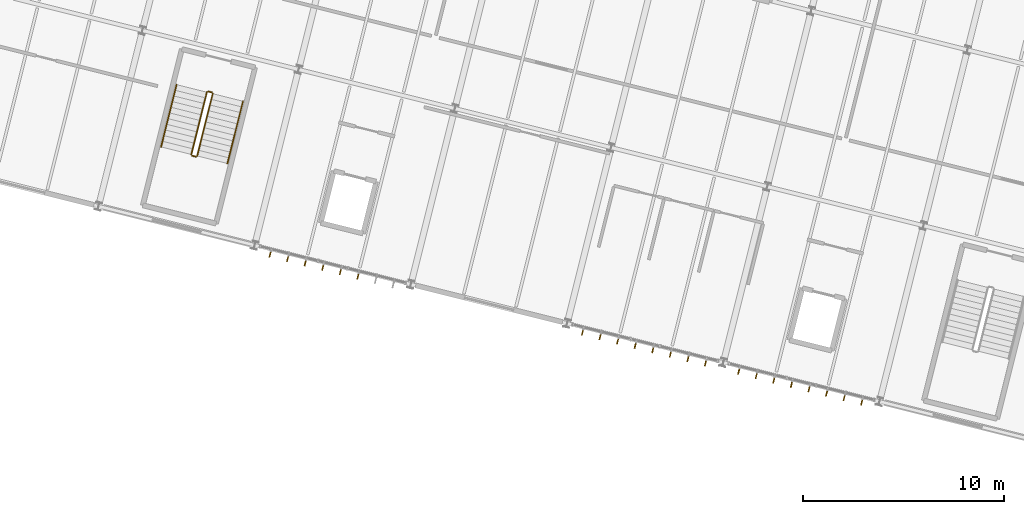
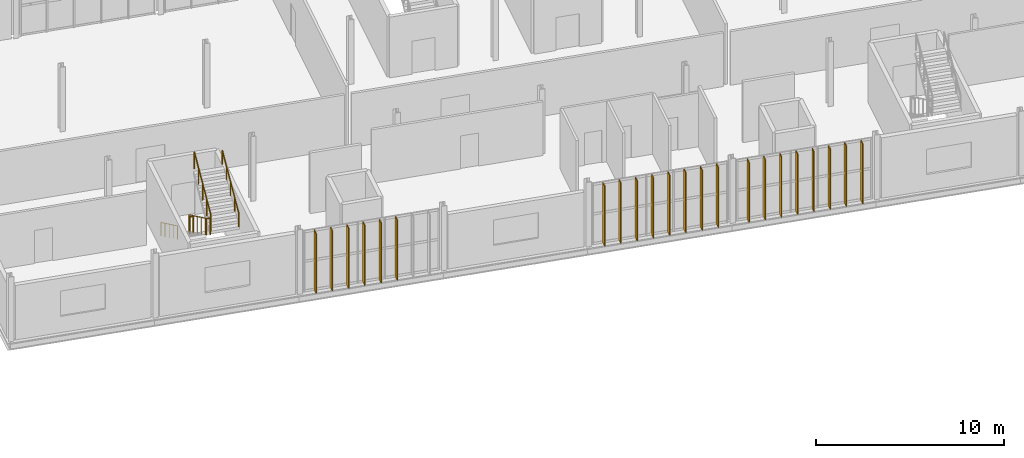
# One storey, part 58 of 61: 22 shading devices, 6 railings.
"""IFC4 building model written with IfcOpenShell, lengths in metres."""

from ifc_helpers import new_model, si_unit, derived_unit, direction, frame, origin, origin_2d, place, context, subcontext, project, spatial, rectangle, circle, extrude, material, layer, layer_set, type_object, element, save


model = new_model("IFC4")

# Units and contexts
model_context = context("Model", 3, precision=1e-05, world=origin(), true_north=direction((0.0, 1.0)))
body_context = subcontext(model_context, "Body", "Model", "MODEL_VIEW")
ifc_project = project(units=[si_unit("LENGTHUNIT", "METRE"), si_unit("AREAUNIT", "SQUARE_METRE"), si_unit("VOLUMEUNIT", "CUBIC_METRE"), si_unit("PLANEANGLEUNIT", "RADIAN"), si_unit("MASSUNIT", "GRAM", prefix="KILO"), si_unit("THERMODYNAMICTEMPERATUREUNIT", "KELVIN"), si_unit("TIMEUNIT", "SECOND"), derived_unit("THERMALTRANSMITTANCEUNIT", [(si_unit("MASSUNIT", "GRAM", prefix="KILO"), 1), (si_unit("THERMODYNAMICTEMPERATUREUNIT", "KELVIN"), -1), (si_unit("TIMEUNIT", "SECOND"), -3)])], contexts=[model_context])

# Site, building, storey
site_placement = place(None, origin())
site = spatial("IfcSite", under=ifc_project, at=site_placement, CompositionType="ELEMENT")
building_placement = place(site_placement, origin())
building = spatial("IfcBuilding", under=site, at=building_placement, Name="Cambertide Market Hall", CompositionType="ELEMENT")
storey_placement = place(building_placement, frame((0.0, 0.0, 9.89990234375)))
storey = spatial("IfcBuildingStorey", under=building, at=storey_placement, Name="L03", CompositionType="ELEMENT", Elevation=9.89990234375)

# Railings
ifc_material_1 = material(Name="Stainless Steel Grade 316", Category="metal")
railing_type_1 = type_object("IfcRailingType", Name="Stair Wall Handrail 900", PredefinedType="HANDRAIL", material=ifc_material_1)
railing_1_placement = place(storey_placement, frame((119.6416015625, 104.098876953125, 0.175048828125)))
element("IfcRailing", 1, at=railing_1_placement, inside=storey, type_object=railing_type_1, Name="Level 3 ST-07A stair handrail 1", PredefinedType="HANDRAIL", context=body_context, shape_type="SweptSolid", body=[
    extrude(circle(Radius=0.02392578125, at=origin_2d()), frame((0.0, 0.0, 0.8759765625), z_axis=(-0.207654101688, -0.830616406754, 0.516678003097), x_axis=(0.970142500145, -0.242535625036, 0.0)), (0.0, 0.0, 1.0), 3.725830078125),
    extrude(circle(Radius=0.02099609375, at=origin_2d()), origin(), (0.0, 0.0, 1.0), 0.851806640625),
    extrude(circle(Radius=0.02099609375, at=origin_2d()), frame((-0.193359375, -0.773681640625, 0.481201171875)), (0.0, 0.0, 1.0), 0.851806640625),
    extrude(circle(Radius=0.02099609375, at=origin_2d()), frame((-0.38671875, -1.54736328125, 0.96240234375)), (0.0, 0.0, 1.0), 0.851806640625),
    extrude(circle(Radius=0.02099609375, at=origin_2d()), frame((-0.580322265625, -2.321044921875, 1.44384765625)), (0.0, 0.0, 1.0), 0.851806640625),
    extrude(circle(Radius=0.02099609375, at=origin_2d()), frame((-0.773681640625, -3.0947265625, 1.925048828125)), (0.0, 0.0, 1.0), 0.851806640625),
])
railing_2_placement = place(storey_placement, frame((122.16650390625, 100.179443359375, 2.275146484375)))
element("IfcRailing", 2, at=railing_2_placement, inside=storey, type_object=railing_type_1, Name="Level 3 ST-07A stair handrail 2", PredefinedType="HANDRAIL", context=body_context, shape_type="SweptSolid", body=[
    extrude(circle(Radius=0.02392578125, at=origin_2d()), frame((0.0, 0.0, 0.8759765625), z_axis=(0.207654101688, 0.830616406754, 0.516678003097), x_axis=(-0.970142500145, 0.242535625036, 0.0)), (0.0, 0.0, 1.0), 3.725830078125),
    extrude(circle(Radius=0.02099609375, at=origin_2d()), origin(), (0.0, 0.0, 1.0), 0.851806640625),
    extrude(circle(Radius=0.02099609375, at=origin_2d()), frame((0.193359375, 0.773681640625, 0.481201171875)), (0.0, 0.0, 1.0), 0.851806640625),
    extrude(circle(Radius=0.02099609375, at=origin_2d()), frame((0.38671875, 1.54736328125, 0.96240234375)), (0.0, 0.0, 1.0), 0.851806640625),
    extrude(circle(Radius=0.02099609375, at=origin_2d()), frame((0.580322265625, 2.321044921875, 1.44384765625)), (0.0, 0.0, 1.0), 0.851806640625),
    extrude(circle(Radius=0.02099609375, at=origin_2d()), frame((0.773681640625, 3.0947265625, 1.925048828125)), (0.0, 0.0, 1.0), 0.851806640625),
])
ifc_material_2 = material(Name="Stainless Steel Grade 316", Category="metal")
railing_type_2 = type_object("IfcRailingType", Name="Stairwell Inner Guardrail 1100", PredefinedType="GUARDRAIL", material=ifc_material_2)
railing_3_placement = place(storey_placement, frame((121.1455078125, 103.722900390625, 0.175048828125)))
element("IfcRailing", 3, at=railing_3_placement, inside=storey, type_object=railing_type_2, Name="Level 3 ST-07A stair guard 1", PredefinedType="GUARDRAIL", context=body_context, shape_type="SweptSolid", body=[
    extrude(circle(Radius=0.02392578125, at=origin_2d()), frame((0.0, 0.0, 1.076171875), z_axis=(-0.207654101688, -0.830616406754, 0.516678003097), x_axis=(0.970142500145, -0.242535625036, 0.0)), (0.0, 0.0, 1.0), 3.725830078125),
    extrude(circle(Radius=0.02099609375, at=origin_2d()), origin(), (0.0, 0.0, 1.0), 1.052001953125),
    extrude(circle(Radius=0.02099609375, at=origin_2d()), frame((-0.193359375, -0.773681640625, 0.481201171875)), (0.0, 0.0, 1.0), 1.052001953125),
    extrude(circle(Radius=0.02099609375, at=origin_2d()), frame((-0.38671875, -1.54736328125, 0.96240234375)), (0.0, 0.0, 1.0), 1.052001953125),
    extrude(circle(Radius=0.02099609375, at=origin_2d()), frame((-0.580322265625, -2.321044921875, 1.44384765625)), (0.0, 0.0, 1.0), 1.052001953125),
    extrude(circle(Radius=0.02099609375, at=origin_2d()), frame((-0.773681640625, -3.0947265625, 1.925048828125)), (0.0, 0.0, 1.0), 1.052001953125),
])
railing_4_placement = place(storey_placement, frame((120.408203125, 100.567626953125, 2.10009765625)))
element("IfcRailing", 4, at=railing_4_placement, inside=storey, type_object=railing_type_2, Name="Level 3 ST-07A stair guard 2", PredefinedType="GUARDRAIL", context=body_context, shape_type="SweptSolid", body=[
    extrude(circle(Radius=0.02392578125, at=origin_2d()), frame((0.0, 0.0, 1.076171875), z_axis=(0.969998605015, -0.24311048161, 0.0), x_axis=(0.24311048161, 0.969998605015, 0.0)), (0.0, 0.0, 1.0), 0.199951171875),
    extrude(circle(Radius=0.02099609375, at=origin_2d()), origin(), (0.0, 0.0, 1.0), 1.052001953125),
    extrude(circle(Radius=0.02099609375, at=origin_2d()), frame((0.19384765625, -0.048583984375, 0.0)), (0.0, 0.0, 1.0), 1.052001953125),
])
railing_5_placement = place(storey_placement, frame((120.662841796875, 100.555419921875, 2.275146484375)))
element("IfcRailing", 5, at=railing_5_placement, inside=storey, type_object=railing_type_2, Name="Level 3 ST-07A stair guard 3", PredefinedType="GUARDRAIL", context=body_context, shape_type="SweptSolid", body=[
    extrude(circle(Radius=0.02392578125, at=origin_2d()), frame((0.0, 0.0, 1.076171875), z_axis=(0.207654101688, 0.830616406754, 0.516678003097), x_axis=(-0.970142500145, 0.242535625036, 0.0)), (0.0, 0.0, 1.0), 3.725830078125),
    extrude(circle(Radius=0.02099609375, at=origin_2d()), origin(), (0.0, 0.0, 1.0), 1.052001953125),
    extrude(circle(Radius=0.02099609375, at=origin_2d()), frame((0.193359375, 0.773681640625, 0.481201171875)), (0.0, 0.0, 1.0), 1.052001953125),
    extrude(circle(Radius=0.02099609375, at=origin_2d()), frame((0.38671875, 1.54736328125, 0.96240234375)), (0.0, 0.0, 1.0), 1.052001953125),
    extrude(circle(Radius=0.02099609375, at=origin_2d()), frame((0.580322265625, 2.321044921875, 1.44384765625)), (0.0, 0.0, 1.0), 1.052001953125),
    extrude(circle(Radius=0.02099609375, at=origin_2d()), frame((0.773681640625, 3.0947265625, 1.925048828125)), (0.0, 0.0, 1.0), 1.052001953125),
])
railing_6_placement = place(storey_placement, frame((121.2060546875, 103.75927734375, 0.0)))
element("IfcRailing", 6, at=railing_6_placement, inside=storey, type_object=railing_type_2, Name="Level 3 ST-07A stair guard 4", PredefinedType="GUARDRAIL", context=body_context, shape_type="SweptSolid", body=[
    extrude(circle(Radius=0.02392578125, at=origin_2d()), frame((0.0, 0.0, 1.076171875), z_axis=(0.970070680326, -0.242822723755, 0.0), x_axis=(0.242822723755, 0.970070680326, 0.0)), (0.0, 0.0, 1.0), 0.2001953125),
    extrude(circle(Radius=0.02099609375, at=origin_2d()), origin(), (0.0, 0.0, 1.0), 1.052001953125),
    extrude(circle(Radius=0.02099609375, at=origin_2d()), frame((0.194091796875, -0.048583984375, 0.0)), (0.0, 0.0, 1.0), 1.052001953125),
])

# Shading devices
ifc_material_3 = material(Name="Champagne Marine Anodized Aluminium 6063-T6 AA25", Category="aluminium")
ifc_layer = layer(ifc_material_3, 0.054931640625, Name="Wing Facade Vertical Sun Fin 380x55")
ifc_layer_set = layer_set([ifc_layer], Name="Champagne Marine Anodized Aluminium 6063-T6 AA25")
shading_device_type = type_object("IfcShadingDeviceType", Name="Wing Facade Vertical Sun Fin 380x55", PredefinedType="JALOUSIE", material=ifc_layer_set)
for number, where, z_axis, x_axis, name in (
    (7, (128.66162109375, 94.6181640625, 0.000244140625), (0.0, 0.0, 1.0), (-0.970142531436, 0.242535499875, 0.0), "CW-V4S-L03-3 Vertical Fin 3"),
    (8, (127.78857421875, 94.83642578125, 0.000244140625), (0.0, 0.0, 1.0), (-0.970142531436, 0.242535499875, 0.0), "CW-V4S-L03-3 Vertical Fin 4"),
    (9, (126.915283203125, 95.0546875, 0.000244140625), (0.0, 0.0, 1.0), (-0.970142531436, 0.242535499875, 0.0), "CW-V4S-L03-3 Vertical Fin 5"),
    (10, (126.042236328125, 95.27294921875, 0.000244140625), (0.0, 0.0, 1.0), (-0.970142531436, 0.242535499875, 0.0), "CW-V4S-L03-3 Vertical Fin 6"),
    (11, (125.169189453125, 95.4912109375, 0.000244140625), (0.0, 0.0, 1.0), (-0.970142531436, 0.242535499875, 0.0), "CW-V4S-L03-3 Vertical Fin 7"),
    (12, (124.2958984375, 95.70947265625, 0.000244140625), (0.0, 0.0, 1.0), (-0.970142531436, 0.242535499875, 0.0), "CW-V4S-L03-3 Vertical Fin 8"),
    (13, (145.93017578125, 90.301025390625, 0.000244140625), (0.0, 0.0, 1.0), (-0.970142531436, 0.242535499875, 0.0), "CW-V4S-L03-5 Vertical Fin 1"),
    (14, (145.05712890625, 90.519287109375, 0.000244140625), (0.0, 0.0, 1.0), (-0.970142531436, 0.242535499875, 0.0), "CW-V4S-L03-5 Vertical Fin 2"),
    (15, (144.183837890625, 90.737548828125, 0.000244140625), (0.0, 0.0, 1.0), (-0.970142531436, 0.242535499875, 0.0), "CW-V4S-L03-5 Vertical Fin 3"),
    (16, (143.310791015625, 90.955810546875, 0.000244140625), (0.0, 0.0, 1.0), (-0.970142531436, 0.242535499875, 0.0), "CW-V4S-L03-5 Vertical Fin 4"),
    (17, (142.437744140625, 91.174072265625, 0.000244140625), (0.0, 0.0, 1.0), (-0.970142531436, 0.242535499875, 0.0), "CW-V4S-L03-5 Vertical Fin 5"),
    (18, (141.564453125, 91.392333984375, 0.000244140625), (0.0, 0.0, 1.0), (-0.970142531436, 0.242535499875, 0.0), "CW-V4S-L03-5 Vertical Fin 6"),
    (19, (140.69140625, 91.610595703125, 0.000244140625), (0.0, 0.0, 1.0), (-0.970142531436, 0.242535499875, 0.0), "CW-V4S-L03-5 Vertical Fin 7"),
    (20, (139.818359375, 91.828857421875, 0.000244140625), (0.0, 0.0, 1.0), (-0.970142531436, 0.242535499875, 0.0), "CW-V4S-L03-5 Vertical Fin 8"),
    (21, (153.69140625, 88.360595703125, 0.000244140625), (0.0, 0.0, 1.0), (-0.970142531436, 0.242535499875, 0.0), "CW-V4S-L03-6 Vertical Fin 1"),
    (22, (152.818115234375, 88.5791015625, 0.000244140625), (0.0, 0.0, 1.0), (-0.970142531436, 0.242535499875, 0.0), "CW-V4S-L03-6 Vertical Fin 2"),
    (23, (151.945068359375, 88.79736328125, 0.000244140625), (0.0, 0.0, 1.0), (-0.970142531436, 0.242535499875, 0.0), "CW-V4S-L03-6 Vertical Fin 3"),
    (24, (151.072021484375, 89.015625, 0.000244140625), (0.0, 0.0, 1.0), (-0.970142531436, 0.242535499875, 0.0), "CW-V4S-L03-6 Vertical Fin 4"),
    (25, (150.19873046875, 89.23388671875, 0.000244140625), (0.0, 0.0, 1.0), (-0.970142531436, 0.242535499875, 0.0), "CW-V4S-L03-6 Vertical Fin 5"),
    (26, (149.32568359375, 89.4521484375, 0.000244140625), (0.0, 0.0, 1.0), (-0.970142531436, 0.242535499875, 0.0), "CW-V4S-L03-6 Vertical Fin 6"),
    (27, (148.45263671875, 89.67041015625, 0.000244140625), (0.0, 0.0, 1.0), (-0.970142531436, 0.242535499875, 0.0), "CW-V4S-L03-6 Vertical Fin 7"),
    (28, (147.579345703125, 89.888671875, 0.000244140625), (0.0, 0.0, 1.0), (-0.970142531436, 0.242535499875, 0.0), "CW-V4S-L03-6 Vertical Fin 8"),
):
    element("IfcShadingDevice", number, at=place(storey_placement, frame(where, z_axis=z_axis, x_axis=x_axis)), inside=storey, type_object=shading_device_type, Name=name, PredefinedType="JALOUSIE", context=body_context, shape_type="SweptSolid", body=[
        extrude(rectangle(XDim=0.054931640625, YDim=0.3798828125, at=origin_2d()), origin(), (0.0, 0.0, 1.0), 3.919921875),
    ])

save(model, "model.ifc")
